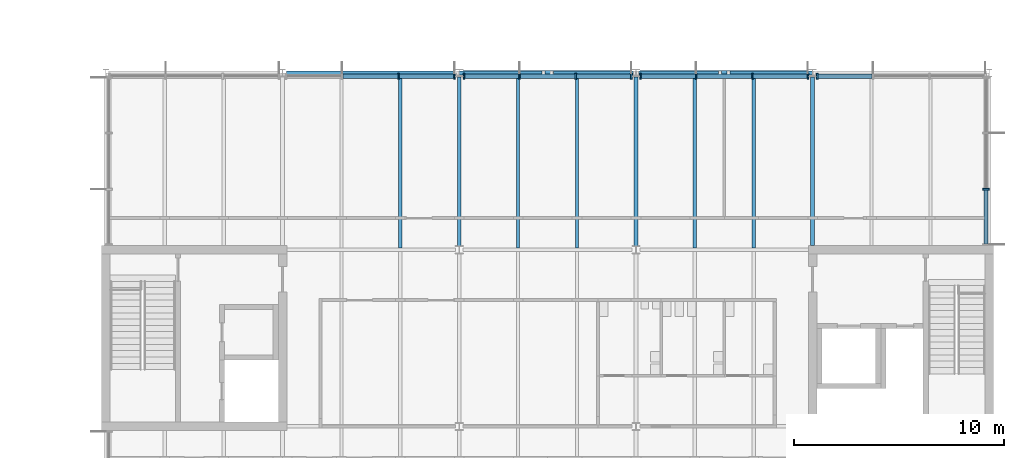
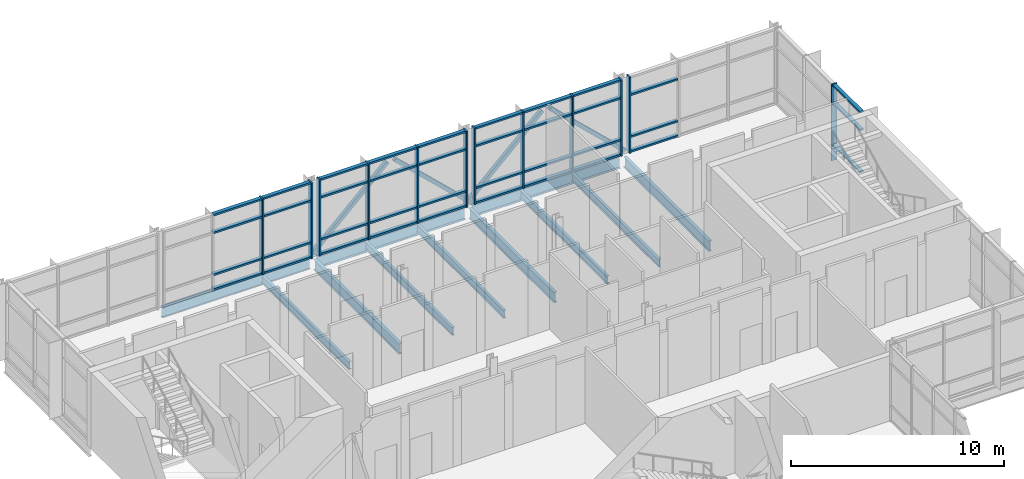
# One storey, part 29 of 72: 54 members, 11 beams, 5 elements without a shape of their own.
"""IFC4 building model written with IfcOpenShell, lengths in metres."""

from ifc_helpers import new_model, si_unit, direction, frame, origin, origin_2d, place, context, subcontext, project, spatial, rectangle, hollow_rectangle, i_section, extrude, material, material_profile, profile_set, type_object, element, aggregate, save


model = new_model("IFC4")

# Units and contexts
model_context = context("Model", 3, precision=1e-05, world=origin(), true_north=direction((0.0, 1.0)))
body_context = subcontext(model_context, "Body", "Model", "MODEL_VIEW")
ifc_project = project(units=[si_unit("LENGTHUNIT", "METRE"), si_unit("AREAUNIT", "SQUARE_METRE"), si_unit("VOLUMEUNIT", "CUBIC_METRE"), si_unit("PLANEANGLEUNIT", "RADIAN"), si_unit("MASSUNIT", "GRAM", prefix="KILO")], contexts=[model_context])

# Site, building, storey
site_placement = place(None, origin())
site = spatial("IfcSite", under=ifc_project, at=site_placement, CompositionType="ELEMENT")
building_placement = place(site_placement, origin())
building = spatial("IfcBuilding", under=site, at=building_placement, Name="Hlaing Beacon Police Headquarters", CompositionType="ELEMENT")
storey_placement = place(building_placement, frame((0.0, 0.0, 14.39990234375)))
storey = spatial("IfcBuildingStorey", under=building, at=storey_placement, Name="L03", CompositionType="ELEMENT", Elevation=14.39990234375)

# Members
ifc_material_1 = material(Name="Steel ASTM A500 Grade C", Category="steel")
ifc_material_profile_1 = material_profile(ifc_material_1, hollow_rectangle(XDim=0.203125, YDim=0.203125, WallThickness=0.009521484375, at=origin_2d()), Name="HSS8x8x3/8")
ifc_profile_set_1 = profile_set([ifc_material_profile_1], Name="Steel ASTM A500 Grade C")
member_type_1 = type_object("IfcMemberType", Name="Chevron brace HSS8x8x3/8", PredefinedType="BRACE", material=ifc_profile_set_1)
member_1_placement = place(storey_placement, frame((109.138916015625, 92.39990234375, 0.07421875), z_axis=(0.724831867616, 0.0, 0.688925804197), x_axis=(0.0, 1.0, 0.0)))
element("IfcMember", 1, at=member_1_placement, inside=storey, type_object=member_type_1, Name="STR-BR-L03-12Pa", PredefinedType="BRACE", context=body_context, shape_type="SweptSolid", body=[
    extrude(hollow_rectangle(XDim=0.203125, YDim=0.203125, WallThickness=0.009521484375, at=origin_2d()), origin(), (0.0, 0.0, 1.0), 5.602783203125),
])
member_2_placement = place(storey_placement, frame((117.660888671875, 92.39990234375, 0.07421875), z_axis=(-0.724811184972, 0.0, 0.688947564144), x_axis=(0.0, -1.0, 0.0)))
element("IfcMember", 2, at=member_2_placement, inside=storey, type_object=member_type_1, Name="STR-BR-L03-12Pb", PredefinedType="BRACE", context=body_context, shape_type="SweptSolid", body=[
    extrude(hollow_rectangle(XDim=0.203125, YDim=0.203125, WallThickness=0.009521484375, at=origin_2d()), origin(), (0.0, 0.0, 1.0), 5.6025390625),
])
for number, where, z_axis, x_axis, name in (
    (3, (117.5390625, 92.39990234375, 0.07421875), (0.724831867616, 0.0, 0.688925804197), (0.0, 1.0, 0.0), "STR-BR-L03-12Qa"),
    (4, (126.06103515625, 92.39990234375, 0.07421875), (-0.724831867616, 0.0, 0.688925804197), (0.0, -1.0, 0.0), "STR-BR-L03-12Qb"),
):
    element("IfcMember", number, at=place(storey_placement, frame(where, z_axis=z_axis, x_axis=x_axis)), inside=storey, type_object=member_type_1, Name=name, PredefinedType="BRACE", context=body_context, shape_type="SweptSolid", body=[
        extrude(hollow_rectangle(XDim=0.203125, YDim=0.203125, WallThickness=0.009521484375, at=origin_2d()), origin(), (0.0, 0.0, 1.0), 5.602783203125),
    ])

# Beams
ifc_material_2 = material(Name="Steel ASTM A992 Grade 50", Category="steel")
ifc_material_profile_2 = material_profile(ifc_material_2, i_section(OverallWidth=0.177978515625, OverallDepth=0.599365234375, WebThickness=0.010009765625, FlangeThickness=0.012939453125, FilletRadius=0.012939453125, at=origin_2d()), Name="W24x55")
ifc_profile_set_2 = profile_set([ifc_material_profile_2], Name="Steel ASTM A992 Grade 50")
beam_type_1 = type_object("IfcBeamType", Name="Girder W24x55", PredefinedType="BEAM", material=ifc_profile_set_2)
for number, where, z_axis, x_axis, name in (
    (5, (100.98388671875, 92.39990234375, -0.4296875), (1.0, 0.0, 0.0), (0.0, 1.0, 0.0), "STR-BM-L03-GX-N12-P12"),
    (6, (109.199951171875, 84.18701171875, -0.4296875), (0.0, 1.0, 0.0), (-1.0, 0.0, 0.0), "STR-BM-L03-GY-P11-P12"),
    (7, (117.60009765625, 84.18701171875, -0.4296875), (0.0, 1.0, 0.0), (-1.0, 0.0, 0.0), "STR-BM-L03-GY-Q11-Q12"),
):
    element("IfcBeam", number, at=place(storey_placement, frame(where, z_axis=z_axis, x_axis=x_axis)), inside=storey, type_object=beam_type_1, Name=name, PredefinedType="BEAM", context=body_context, shape_type="SweptSolid", body=[
        extrude(i_section(OverallWidth=0.177978515625, OverallDepth=0.599365234375, WebThickness=0.010009765625, FlangeThickness=0.012939453125, FilletRadius=0.012939453125, at=origin_2d()), origin(), (0.0, 0.0, 1.0), 8.031005859375),
    ])
beam_1_placement = place(storey_placement, frame((126.0, 84.199951171875, -0.4296875), z_axis=(0.0, 1.0, 0.0), x_axis=(-1.0, 0.0, 0.0)))
element("IfcBeam", 8, at=beam_1_placement, inside=storey, type_object=beam_type_1, Name="STR-BM-L03-GY-R11-R12", PredefinedType="BEAM", context=body_context, shape_type="SweptSolid", body=[
    extrude(i_section(OverallWidth=0.177978515625, OverallDepth=0.599365234375, WebThickness=0.010009765625, FlangeThickness=0.012939453125, FilletRadius=0.012939453125, at=origin_2d()), origin(), (0.0, 0.0, 1.0), 8.01806640625),
])
ifc_material_3 = material(Name="Steel ASTM A992 Grade 50", Category="steel")
ifc_material_profile_3 = material_profile(ifc_material_3, i_section(OverallWidth=0.25390625, OverallDepth=0.67822265625, WebThickness=0.01171875, FlangeThickness=0.016357421875, FilletRadius=0.01513671875, at=origin_2d()), Name="W27x84")
ifc_profile_set_3 = profile_set([ifc_material_profile_3], Name="Steel ASTM A992 Grade 50")
beam_type_2 = type_object("IfcBeamType", Name="Girder W27x84", PredefinedType="BEAM", material=ifc_profile_set_3)
for number, where, z_axis, x_axis, name in (
    (9, (109.385009765625, 92.39990234375, -0.468994140625), (1.0, 0.0, 0.0), (0.0, 1.0, 0.0), "STR-BM-L03-GX-P12-Q12"),
    (10, (117.784912109375, 92.39990234375, -0.468994140625), (1.0, 0.0, 0.0), (0.0, 1.0, 0.0), "STR-BM-L03-GX-Q12-R12"),
):
    element("IfcBeam", number, at=place(storey_placement, frame(where, z_axis=z_axis, x_axis=x_axis)), inside=storey, type_object=beam_type_2, Name=name, PredefinedType="BEAM", context=body_context, shape_type="SweptSolid", body=[
        extrude(i_section(OverallWidth=0.25390625, OverallDepth=0.67822265625, WebThickness=0.01171875, FlangeThickness=0.016357421875, FilletRadius=0.01513671875, at=origin_2d()), origin(), (0.0, 0.0, 1.0), 8.030029296875),
    ])

# Curtain wall, member
ifc_material_4 = material(Name="Aluminium frame with solar control glazing", Category="aluminium")
curtain_wall_type_1 = type_object("IfcCurtainWallType", Name="Structural glazed gable wall 8.02 x 4.37", PredefinedType="NOTDEFINED", material=ifc_material_4)
curtain_wall_1_placement = place(storey_placement, origin())
curtain_wall_1 = element("IfcCurtainWall", 11, at=curtain_wall_1_placement, inside=storey, type_object=curtain_wall_type_1, Name="ENV-CW-L03-E027", PredefinedType="NOTDEFINED")
ifc_material_5 = material(Name="Aluminium", Category="aluminium")
ifc_material_profile_4 = material_profile(ifc_material_5, rectangle(XDim=0.300048828125, YDim=0.080078125, at=origin_2d()), Name="Mullion 80x300")
ifc_profile_set_4 = profile_set([ifc_material_profile_4], Name="Aluminium")
member_type_2 = type_object("IfcMemberType", Name="Mullion 80x300", PredefinedType="MULLION", material=ifc_profile_set_4)
member_3_placement = place(storey_placement, frame((134.25, 86.87451171875, 0.0), z_axis=(0.0, 0.0, 1.0), x_axis=(-1.0, 0.0, 0.0)))
member_3 = element("IfcMember", 12, at=member_3_placement, type_object=member_type_2, Name="CW-L03-E027 mullion 2", PredefinedType="MULLION", context=body_context, shape_type="SweptSolid", body=[
    extrude(rectangle(XDim=0.300048828125, YDim=0.080078125, at=origin_2d()), origin(), (0.0, 0.0, 1.0), 4.3701171875),
])

ifc_material_6 = material(Name="Aluminium frame with solar control glazing", Category="aluminium")
curtain_wall_type_2 = type_object("IfcCurtainWallType", Name="Structural glazed gable wall 8.06 x 4.37", PredefinedType="NOTDEFINED", material=ifc_material_6)
curtain_wall_2_placement = place(storey_placement, origin())
curtain_wall_2 = element("IfcCurtainWall", 13, at=curtain_wall_2_placement, inside=storey, type_object=curtain_wall_type_2, Name="ENV-CW-L03-N028", PredefinedType="NOTDEFINED")
member_4_placement = place(storey_placement, frame((126.225341796875, 92.25, 0.0), z_axis=(0.0, 0.0, 1.0), x_axis=(0.0, -1.0, 0.0)))
member_4 = element("IfcMember", 14, at=member_4_placement, type_object=member_type_2, Name="CW-L03-N028 mullion 4", PredefinedType="MULLION", context=body_context, shape_type="SweptSolid", body=[
    extrude(rectangle(XDim=0.300048828125, YDim=0.080078125, at=origin_2d()), origin(), (0.0, 0.0, 1.0), 4.3701171875),
])

# Curtain wall, members
ifc_material_7 = material(Name="Aluminium frame with solar control glazing", Category="aluminium")
curtain_wall_type_3 = type_object("IfcCurtainWallType", Name="Structural glazed gable wall 8.03 x 4.37", PredefinedType="NOTDEFINED", material=ifc_material_7)
curtain_wall_3_placement = place(storey_placement, origin())
curtain_wall_3 = element("IfcCurtainWall", 15, at=curtain_wall_3_placement, inside=storey, type_object=curtain_wall_type_3, Name="ENV-CW-L03-N029", PredefinedType="NOTDEFINED")
member_5_placement = place(storey_placement, frame((125.774658203125, 92.25, 0.0), z_axis=(0.0, 0.0, 1.0), x_axis=(0.0, -1.0, 0.0)))
member_5 = element("IfcMember", 16, at=member_5_placement, type_object=member_type_2, Name="CW-L03-N029 mullion 1", PredefinedType="MULLION", context=body_context, shape_type="SweptSolid", body=[
    extrude(rectangle(XDim=0.300048828125, YDim=0.080078125, at=origin_2d()), origin(), (0.0, 0.0, 1.0), 4.3701171875),
])
member_6_placement = place(storey_placement, frame((123.13818359375, 92.25, 0.0), z_axis=(0.0, 0.0, 1.0), x_axis=(0.0, -1.0, 0.0)))
member_6 = element("IfcMember", 17, at=member_6_placement, type_object=member_type_2, Name="CW-L03-N029 mullion 2", PredefinedType="MULLION", context=body_context, shape_type="SweptSolid", body=[
    extrude(rectangle(XDim=0.300048828125, YDim=0.080078125, at=origin_2d()), origin(), (0.0, 0.0, 1.0), 4.3701171875),
])
member_7_placement = place(storey_placement, frame((120.4619140625, 92.25, 0.0), z_axis=(0.0, 0.0, 1.0), x_axis=(0.0, -1.0, 0.0)))
member_7 = element("IfcMember", 18, at=member_7_placement, type_object=member_type_2, Name="CW-L03-N029 mullion 3", PredefinedType="MULLION", context=body_context, shape_type="SweptSolid", body=[
    extrude(rectangle(XDim=0.300048828125, YDim=0.080078125, at=origin_2d()), origin(), (0.0, 0.0, 1.0), 4.3701171875),
])
member_8_placement = place(storey_placement, frame((117.825439453125, 92.25, 0.0), z_axis=(0.0, 0.0, 1.0), x_axis=(0.0, -1.0, 0.0)))
member_8 = element("IfcMember", 19, at=member_8_placement, type_object=member_type_2, Name="CW-L03-N029 mullion 4", PredefinedType="MULLION", context=body_context, shape_type="SweptSolid", body=[
    extrude(rectangle(XDim=0.300048828125, YDim=0.080078125, at=origin_2d()), origin(), (0.0, 0.0, 1.0), 4.3701171875),
])

curtain_wall_4_placement = place(storey_placement, origin())
curtain_wall_4 = element("IfcCurtainWall", 20, at=curtain_wall_4_placement, inside=storey, type_object=curtain_wall_type_3, Name="ENV-CW-L03-N030", PredefinedType="NOTDEFINED")
member_9_placement = place(storey_placement, frame((117.37451171875, 92.25, 0.0), z_axis=(0.0, 0.0, 1.0), x_axis=(0.0, -1.0, 0.0)))
member_9 = element("IfcMember", 21, at=member_9_placement, type_object=member_type_2, Name="CW-L03-N030 mullion 1", PredefinedType="MULLION", context=body_context, shape_type="SweptSolid", body=[
    extrude(rectangle(XDim=0.300048828125, YDim=0.080078125, at=origin_2d()), origin(), (0.0, 0.0, 1.0), 4.3701171875),
])
member_10_placement = place(storey_placement, frame((114.73828125, 92.25, 0.0), z_axis=(0.0, 0.0, 1.0), x_axis=(0.0, -1.0, 0.0)))
member_10 = element("IfcMember", 22, at=member_10_placement, type_object=member_type_2, Name="CW-L03-N030 mullion 2", PredefinedType="MULLION", context=body_context, shape_type="SweptSolid", body=[
    extrude(rectangle(XDim=0.300048828125, YDim=0.080078125, at=origin_2d()), origin(), (0.0, 0.0, 1.0), 4.3701171875),
])
member_11_placement = place(storey_placement, frame((112.061767578125, 92.25, 0.0), z_axis=(0.0, 0.0, 1.0), x_axis=(0.0, -1.0, 0.0)))
member_11 = element("IfcMember", 23, at=member_11_placement, type_object=member_type_2, Name="CW-L03-N030 mullion 3", PredefinedType="MULLION", context=body_context, shape_type="SweptSolid", body=[
    extrude(rectangle(XDim=0.300048828125, YDim=0.080078125, at=origin_2d()), origin(), (0.0, 0.0, 1.0), 4.3701171875),
])
member_12_placement = place(storey_placement, frame((109.42529296875, 92.25, 0.0), z_axis=(0.0, 0.0, 1.0), x_axis=(0.0, -1.0, 0.0)))
member_12 = element("IfcMember", 24, at=member_12_placement, type_object=member_type_2, Name="CW-L03-N030 mullion 4", PredefinedType="MULLION", context=body_context, shape_type="SweptSolid", body=[
    extrude(rectangle(XDim=0.300048828125, YDim=0.080078125, at=origin_2d()), origin(), (0.0, 0.0, 1.0), 4.3701171875),
])

ifc_material_8 = material(Name="Aluminium frame with solar control glazing", Category="aluminium")
curtain_wall_type_4 = type_object("IfcCurtainWallType", Name="Structural glazed gable wall 8.09 x 4.37", PredefinedType="NOTDEFINED", material=ifc_material_8)
curtain_wall_5_placement = place(storey_placement, origin())
curtain_wall_5 = element("IfcCurtainWall", 25, at=curtain_wall_5_placement, inside=storey, type_object=curtain_wall_type_4, Name="ENV-CW-L03-N031", PredefinedType="NOTDEFINED")
member_13_placement = place(storey_placement, frame((108.974609375, 92.25, 0.0), z_axis=(0.0, 0.0, 1.0), x_axis=(0.0, -1.0, 0.0)))
member_13 = element("IfcMember", 26, at=member_13_placement, type_object=member_type_2, Name="CW-L03-N031 mullion 1", PredefinedType="MULLION", context=body_context, shape_type="SweptSolid", body=[
    extrude(rectangle(XDim=0.300048828125, YDim=0.080078125, at=origin_2d()), origin(), (0.0, 0.0, 1.0), 4.3701171875),
])
member_14_placement = place(storey_placement, frame((106.319091796875, 92.25, 0.0), z_axis=(0.0, 0.0, 1.0), x_axis=(0.0, -1.0, 0.0)))
member_14 = element("IfcMember", 27, at=member_14_placement, type_object=member_type_2, Name="CW-L03-N031 mullion 2", PredefinedType="MULLION", context=body_context, shape_type="SweptSolid", body=[
    extrude(rectangle(XDim=0.300048828125, YDim=0.080078125, at=origin_2d()), origin(), (0.0, 0.0, 1.0), 4.3701171875),
])

# Beams
ifc_material_9 = material(Name="Steel ASTM A992 Grade 50", Category="steel")
ifc_material_profile_5 = material_profile(ifc_material_9, i_section(OverallWidth=0.15234375, OverallDepth=0.449462890625, WebThickness=0.007568359375, FlangeThickness=0.0107421875, FilletRadius=0.01025390625, at=origin_2d()), Name="W18x35")
ifc_profile_set_5 = profile_set([ifc_material_profile_5], Name="Steel ASTM A992 Grade 50")
beam_type_3 = type_object("IfcBeamType", Name="Secondary beam W18x35", PredefinedType="BEAM", material=ifc_profile_set_5)
beam_2_placement = place(storey_placement, frame((106.39990234375, 84.089111328125, -0.354736328125), z_axis=(0.0, 1.0, 0.0), x_axis=(-1.0, 0.0, 0.0)))
element("IfcBeam", 28, at=beam_2_placement, inside=storey, type_object=beam_type_3, Name="STR-BM-L03-SB-N11-y2", PredefinedType="BEAM", context=body_context, shape_type="SweptSolid", body=[
    extrude(i_section(OverallWidth=0.15234375, OverallDepth=0.449462890625, WebThickness=0.007568359375, FlangeThickness=0.0107421875, FilletRadius=0.01025390625, at=origin_2d()), origin(), (0.0, 0.0, 1.0), 8.221923828125),
])
for number, where, z_axis, x_axis, name in (
    (29, (112.0, 84.089111328125, -0.354736328125), (0.0, 1.0, 0.0), (-1.0, 0.0, 0.0), "STR-BM-L03-SB-P11-y1"),
    (30, (114.800048828125, 84.089111328125, -0.354736328125), (0.0, 1.0, 0.0), (-1.0, 0.0, 0.0), "STR-BM-L03-SB-P11-y2"),
    (31, (120.39990234375, 84.089111328125, -0.354736328125), (0.0, 1.0, 0.0), (-1.0, 0.0, 0.0), "STR-BM-L03-SB-Q11-y1"),
    (32, (123.199951171875, 84.089111328125, -0.354736328125), (0.0, 1.0, 0.0), (-1.0, 0.0, 0.0), "STR-BM-L03-SB-Q11-y2"),
):
    element("IfcBeam", number, at=place(storey_placement, frame(where, z_axis=z_axis, x_axis=x_axis)), inside=storey, type_object=beam_type_3, Name=name, PredefinedType="BEAM", context=body_context, shape_type="SweptSolid", body=[
        extrude(i_section(OverallWidth=0.15234375, OverallDepth=0.449462890625, WebThickness=0.007568359375, FlangeThickness=0.0107421875, FilletRadius=0.01025390625, at=origin_2d()), origin(), (0.0, 0.0, 1.0), 8.183837890625),
    ])

# Member
ifc_material_10 = material(Name="Aluminium", Category="aluminium")
ifc_material_profile_6 = material_profile(ifc_material_10, rectangle(XDim=0.199951171875, YDim=0.10009765625, at=origin_2d()), Name="Transom 200x100")
ifc_profile_set_6 = profile_set([ifc_material_profile_6], Name="Aluminium")
member_type_3 = type_object("IfcMemberType", Name="Transom 200x100", PredefinedType="USERDEFINED", material=ifc_profile_set_6)
member_15_placement = place(storey_placement, frame((134.25, 84.280029296875, 0.900146484375), z_axis=(0.0, 1.0, 0.0), x_axis=(-1.0, 0.0, 0.0)))
member_15 = element("IfcMember", 33, at=member_15_placement, type_object=member_type_3, Name="CW-L03-E027 transom 1.2", ObjectType="TRANSOM", PredefinedType="USERDEFINED", context=body_context, shape_type="SweptSolid", body=[
    extrude(rectangle(XDim=0.199951171875, YDim=0.10009765625, at=origin_2d()), origin(), (0.0, 0.0, 1.0), 2.554443359375),
])

member_16_placement = place(storey_placement, frame((134.25, 84.280029296875, 3.300048828125), z_axis=(0.0, 1.0, 0.0), x_axis=(-1.0, 0.0, 0.0)))
member_16 = element("IfcMember", 34, at=member_16_placement, type_object=member_type_3, Name="CW-L03-E027 transom 1.3", ObjectType="TRANSOM", PredefinedType="USERDEFINED", context=body_context, shape_type="SweptSolid", body=[
    extrude(rectangle(XDim=0.199951171875, YDim=0.10009765625, at=origin_2d()), origin(), (0.0, 0.0, 1.0), 2.554443359375),
])

member_17_placement = place(storey_placement, frame((134.25, 84.280029296875, 4.320068359375), z_axis=(0.0, 1.0, 0.0), x_axis=(-1.0, 0.0, 0.0)))
member_17 = element("IfcMember", 35, at=member_17_placement, type_object=member_type_3, Name="CW-L03-E027 transom 1.4", ObjectType="TRANSOM", PredefinedType="USERDEFINED", context=body_context, shape_type="SweptSolid", body=[
    extrude(rectangle(XDim=0.199951171875, YDim=0.10009765625, at=origin_2d()), origin(), (0.0, 0.0, 1.0), 2.554443359375),
])

aggregate(curtain_wall_1, [member_3, member_15, member_16, member_17])

member_18_placement = place(storey_placement, frame((128.83349609375, 92.25, 0.050048828125), z_axis=(-1.0, 0.0, 0.0), x_axis=(0.0, -1.0, 0.0)))
member_18 = element("IfcMember", 36, at=member_18_placement, type_object=member_type_3, Name="CW-L03-N028 transom 3.1", ObjectType="TRANSOM", PredefinedType="USERDEFINED", context=body_context, shape_type="SweptSolid", body=[
    extrude(rectangle(XDim=0.199951171875, YDim=0.10009765625, at=origin_2d()), origin(), (0.0, 0.0, 1.0), 2.568115234375),
])

member_19_placement = place(storey_placement, frame((128.83349609375, 92.25, 0.900146484375), z_axis=(-1.0, 0.0, 0.0), x_axis=(0.0, -1.0, 0.0)))
member_19 = element("IfcMember", 37, at=member_19_placement, type_object=member_type_3, Name="CW-L03-N028 transom 3.2", ObjectType="TRANSOM", PredefinedType="USERDEFINED", context=body_context, shape_type="SweptSolid", body=[
    extrude(rectangle(XDim=0.199951171875, YDim=0.10009765625, at=origin_2d()), origin(), (0.0, 0.0, 1.0), 2.568115234375),
])

member_20_placement = place(storey_placement, frame((128.83349609375, 92.25, 3.300048828125), z_axis=(-1.0, 0.0, 0.0), x_axis=(0.0, -1.0, 0.0)))
member_20 = element("IfcMember", 38, at=member_20_placement, type_object=member_type_3, Name="CW-L03-N028 transom 3.3", ObjectType="TRANSOM", PredefinedType="USERDEFINED", context=body_context, shape_type="SweptSolid", body=[
    extrude(rectangle(XDim=0.199951171875, YDim=0.10009765625, at=origin_2d()), origin(), (0.0, 0.0, 1.0), 2.568115234375),
])

aggregate(curtain_wall_2, [member_4, member_18, member_19, member_20])

member_21_placement = place(storey_placement, frame((125.734619140625, 92.25, 0.050048828125), z_axis=(-1.0, 0.0, 0.0), x_axis=(0.0, -1.0, 0.0)))
member_21 = element("IfcMember", 39, at=member_21_placement, type_object=member_type_3, Name="CW-L03-N029 transom 1.1", ObjectType="TRANSOM", PredefinedType="USERDEFINED", context=body_context, shape_type="SweptSolid", body=[
    extrude(rectangle(XDim=0.199951171875, YDim=0.10009765625, at=origin_2d()), origin(), (0.0, 0.0, 1.0), 2.556396484375),
])

member_22_placement = place(storey_placement, frame((125.734619140625, 92.25, 0.900146484375), z_axis=(-1.0, 0.0, 0.0), x_axis=(0.0, -1.0, 0.0)))
member_22 = element("IfcMember", 40, at=member_22_placement, type_object=member_type_3, Name="CW-L03-N029 transom 1.2", ObjectType="TRANSOM", PredefinedType="USERDEFINED", context=body_context, shape_type="SweptSolid", body=[
    extrude(rectangle(XDim=0.199951171875, YDim=0.10009765625, at=origin_2d()), origin(), (0.0, 0.0, 1.0), 2.556396484375),
])

member_23_placement = place(storey_placement, frame((125.734619140625, 92.25, 3.300048828125), z_axis=(-1.0, 0.0, 0.0), x_axis=(0.0, -1.0, 0.0)))
member_23 = element("IfcMember", 41, at=member_23_placement, type_object=member_type_3, Name="CW-L03-N029 transom 1.3", ObjectType="TRANSOM", PredefinedType="USERDEFINED", context=body_context, shape_type="SweptSolid", body=[
    extrude(rectangle(XDim=0.199951171875, YDim=0.10009765625, at=origin_2d()), origin(), (0.0, 0.0, 1.0), 2.556396484375),
])

member_24_placement = place(storey_placement, frame((125.734619140625, 92.25, 4.320068359375), z_axis=(-1.0, 0.0, 0.0), x_axis=(0.0, -1.0, 0.0)))
member_24 = element("IfcMember", 42, at=member_24_placement, type_object=member_type_3, Name="CW-L03-N029 transom 1.4", ObjectType="TRANSOM", PredefinedType="USERDEFINED", context=body_context, shape_type="SweptSolid", body=[
    extrude(rectangle(XDim=0.199951171875, YDim=0.10009765625, at=origin_2d()), origin(), (0.0, 0.0, 1.0), 2.556396484375),
])

member_25_placement = place(storey_placement, frame((123.09814453125, 92.25, 0.050048828125), z_axis=(-1.0, 0.0, 0.0), x_axis=(0.0, -1.0, 0.0)))
member_25 = element("IfcMember", 43, at=member_25_placement, type_object=member_type_3, Name="CW-L03-N029 transom 2.1", ObjectType="TRANSOM", PredefinedType="USERDEFINED", context=body_context, shape_type="SweptSolid", body=[
    extrude(rectangle(XDim=0.199951171875, YDim=0.10009765625, at=origin_2d()), origin(), (0.0, 0.0, 1.0), 2.596435546875),
])

member_26_placement = place(storey_placement, frame((123.09814453125, 92.25, 0.900146484375), z_axis=(-1.0, 0.0, 0.0), x_axis=(0.0, -1.0, 0.0)))
member_26 = element("IfcMember", 44, at=member_26_placement, type_object=member_type_3, Name="CW-L03-N029 transom 2.2", ObjectType="TRANSOM", PredefinedType="USERDEFINED", context=body_context, shape_type="SweptSolid", body=[
    extrude(rectangle(XDim=0.199951171875, YDim=0.10009765625, at=origin_2d()), origin(), (0.0, 0.0, 1.0), 2.596435546875),
])

member_27_placement = place(storey_placement, frame((123.09814453125, 92.25, 3.300048828125), z_axis=(-1.0, 0.0, 0.0), x_axis=(0.0, -1.0, 0.0)))
member_27 = element("IfcMember", 45, at=member_27_placement, type_object=member_type_3, Name="CW-L03-N029 transom 2.3", ObjectType="TRANSOM", PredefinedType="USERDEFINED", context=body_context, shape_type="SweptSolid", body=[
    extrude(rectangle(XDim=0.199951171875, YDim=0.10009765625, at=origin_2d()), origin(), (0.0, 0.0, 1.0), 2.596435546875),
])

member_28_placement = place(storey_placement, frame((123.09814453125, 92.25, 4.320068359375), z_axis=(-1.0, 0.0, 0.0), x_axis=(0.0, -1.0, 0.0)))
member_28 = element("IfcMember", 46, at=member_28_placement, type_object=member_type_3, Name="CW-L03-N029 transom 2.4", ObjectType="TRANSOM", PredefinedType="USERDEFINED", context=body_context, shape_type="SweptSolid", body=[
    extrude(rectangle(XDim=0.199951171875, YDim=0.10009765625, at=origin_2d()), origin(), (0.0, 0.0, 1.0), 2.596435546875),
])

member_29_placement = place(storey_placement, frame((120.421875, 92.25, 0.050048828125), z_axis=(-1.0, 0.0, 0.0), x_axis=(0.0, -1.0, 0.0)))
member_29 = element("IfcMember", 47, at=member_29_placement, type_object=member_type_3, Name="CW-L03-N029 transom 3.1", ObjectType="TRANSOM", PredefinedType="USERDEFINED", context=body_context, shape_type="SweptSolid", body=[
    extrude(rectangle(XDim=0.199951171875, YDim=0.10009765625, at=origin_2d()), origin(), (0.0, 0.0, 1.0), 2.556396484375),
])

member_30_placement = place(storey_placement, frame((120.421875, 92.25, 0.900146484375), z_axis=(-1.0, 0.0, 0.0), x_axis=(0.0, -1.0, 0.0)))
member_30 = element("IfcMember", 48, at=member_30_placement, type_object=member_type_3, Name="CW-L03-N029 transom 3.2", ObjectType="TRANSOM", PredefinedType="USERDEFINED", context=body_context, shape_type="SweptSolid", body=[
    extrude(rectangle(XDim=0.199951171875, YDim=0.10009765625, at=origin_2d()), origin(), (0.0, 0.0, 1.0), 2.556396484375),
])

member_31_placement = place(storey_placement, frame((120.421875, 92.25, 3.300048828125), z_axis=(-1.0, 0.0, 0.0), x_axis=(0.0, -1.0, 0.0)))
member_31 = element("IfcMember", 49, at=member_31_placement, type_object=member_type_3, Name="CW-L03-N029 transom 3.3", ObjectType="TRANSOM", PredefinedType="USERDEFINED", context=body_context, shape_type="SweptSolid", body=[
    extrude(rectangle(XDim=0.199951171875, YDim=0.10009765625, at=origin_2d()), origin(), (0.0, 0.0, 1.0), 2.556396484375),
])

member_32_placement = place(storey_placement, frame((120.421875, 92.25, 4.320068359375), z_axis=(-1.0, 0.0, 0.0), x_axis=(0.0, -1.0, 0.0)))
member_32 = element("IfcMember", 50, at=member_32_placement, type_object=member_type_3, Name="CW-L03-N029 transom 3.4", ObjectType="TRANSOM", PredefinedType="USERDEFINED", context=body_context, shape_type="SweptSolid", body=[
    extrude(rectangle(XDim=0.199951171875, YDim=0.10009765625, at=origin_2d()), origin(), (0.0, 0.0, 1.0), 2.556396484375),
])

aggregate(curtain_wall_3, [member_5, member_6, member_7, member_8, member_21, member_22, member_23, member_24, member_25, member_26, member_27, member_28, member_29, member_30, member_31, member_32])

member_33_placement = place(storey_placement, frame((117.334716796875, 92.25, 0.050048828125), z_axis=(-1.0, 0.0, 0.0), x_axis=(0.0, -1.0, 0.0)))
member_33 = element("IfcMember", 51, at=member_33_placement, type_object=member_type_3, Name="CW-L03-N030 transom 1.1", ObjectType="TRANSOM", PredefinedType="USERDEFINED", context=body_context, shape_type="SweptSolid", body=[
    extrude(rectangle(XDim=0.199951171875, YDim=0.10009765625, at=origin_2d()), origin(), (0.0, 0.0, 1.0), 2.556396484375),
])

member_34_placement = place(storey_placement, frame((117.334716796875, 92.25, 0.900146484375), z_axis=(-1.0, 0.0, 0.0), x_axis=(0.0, -1.0, 0.0)))
member_34 = element("IfcMember", 52, at=member_34_placement, type_object=member_type_3, Name="CW-L03-N030 transom 1.2", ObjectType="TRANSOM", PredefinedType="USERDEFINED", context=body_context, shape_type="SweptSolid", body=[
    extrude(rectangle(XDim=0.199951171875, YDim=0.10009765625, at=origin_2d()), origin(), (0.0, 0.0, 1.0), 2.556396484375),
])

member_35_placement = place(storey_placement, frame((117.334716796875, 92.25, 3.300048828125), z_axis=(-1.0, 0.0, 0.0), x_axis=(0.0, -1.0, 0.0)))
member_35 = element("IfcMember", 53, at=member_35_placement, type_object=member_type_3, Name="CW-L03-N030 transom 1.3", ObjectType="TRANSOM", PredefinedType="USERDEFINED", context=body_context, shape_type="SweptSolid", body=[
    extrude(rectangle(XDim=0.199951171875, YDim=0.10009765625, at=origin_2d()), origin(), (0.0, 0.0, 1.0), 2.556396484375),
])

member_36_placement = place(storey_placement, frame((117.334716796875, 92.25, 4.320068359375), z_axis=(-1.0, 0.0, 0.0), x_axis=(0.0, -1.0, 0.0)))
member_36 = element("IfcMember", 54, at=member_36_placement, type_object=member_type_3, Name="CW-L03-N030 transom 1.4", ObjectType="TRANSOM", PredefinedType="USERDEFINED", context=body_context, shape_type="SweptSolid", body=[
    extrude(rectangle(XDim=0.199951171875, YDim=0.10009765625, at=origin_2d()), origin(), (0.0, 0.0, 1.0), 2.556396484375),
])

member_37_placement = place(storey_placement, frame((114.6982421875, 92.25, 0.050048828125), z_axis=(-1.0, 0.0, 0.0), x_axis=(0.0, -1.0, 0.0)))
member_37 = element("IfcMember", 55, at=member_37_placement, type_object=member_type_3, Name="CW-L03-N030 transom 2.1", ObjectType="TRANSOM", PredefinedType="USERDEFINED", context=body_context, shape_type="SweptSolid", body=[
    extrude(rectangle(XDim=0.199951171875, YDim=0.10009765625, at=origin_2d()), origin(), (0.0, 0.0, 1.0), 2.596435546875),
])

member_38_placement = place(storey_placement, frame((114.6982421875, 92.25, 0.900146484375), z_axis=(-1.0, 0.0, 0.0), x_axis=(0.0, -1.0, 0.0)))
member_38 = element("IfcMember", 56, at=member_38_placement, type_object=member_type_3, Name="CW-L03-N030 transom 2.2", ObjectType="TRANSOM", PredefinedType="USERDEFINED", context=body_context, shape_type="SweptSolid", body=[
    extrude(rectangle(XDim=0.199951171875, YDim=0.10009765625, at=origin_2d()), origin(), (0.0, 0.0, 1.0), 2.596435546875),
])

member_39_placement = place(storey_placement, frame((114.6982421875, 92.25, 3.300048828125), z_axis=(-1.0, 0.0, 0.0), x_axis=(0.0, -1.0, 0.0)))
member_39 = element("IfcMember", 57, at=member_39_placement, type_object=member_type_3, Name="CW-L03-N030 transom 2.3", ObjectType="TRANSOM", PredefinedType="USERDEFINED", context=body_context, shape_type="SweptSolid", body=[
    extrude(rectangle(XDim=0.199951171875, YDim=0.10009765625, at=origin_2d()), origin(), (0.0, 0.0, 1.0), 2.596435546875),
])

member_40_placement = place(storey_placement, frame((114.6982421875, 92.25, 4.320068359375), z_axis=(-1.0, 0.0, 0.0), x_axis=(0.0, -1.0, 0.0)))
member_40 = element("IfcMember", 58, at=member_40_placement, type_object=member_type_3, Name="CW-L03-N030 transom 2.4", ObjectType="TRANSOM", PredefinedType="USERDEFINED", context=body_context, shape_type="SweptSolid", body=[
    extrude(rectangle(XDim=0.199951171875, YDim=0.10009765625, at=origin_2d()), origin(), (0.0, 0.0, 1.0), 2.596435546875),
])

member_41_placement = place(storey_placement, frame((112.021728515625, 92.25, 0.050048828125), z_axis=(-1.0, 0.0, 0.0), x_axis=(0.0, -1.0, 0.0)))
member_41 = element("IfcMember", 59, at=member_41_placement, type_object=member_type_3, Name="CW-L03-N030 transom 3.1", ObjectType="TRANSOM", PredefinedType="USERDEFINED", context=body_context, shape_type="SweptSolid", body=[
    extrude(rectangle(XDim=0.199951171875, YDim=0.10009765625, at=origin_2d()), origin(), (0.0, 0.0, 1.0), 2.556396484375),
])

member_42_placement = place(storey_placement, frame((112.021728515625, 92.25, 0.900146484375), z_axis=(-1.0, 0.0, 0.0), x_axis=(0.0, -1.0, 0.0)))
member_42 = element("IfcMember", 60, at=member_42_placement, type_object=member_type_3, Name="CW-L03-N030 transom 3.2", ObjectType="TRANSOM", PredefinedType="USERDEFINED", context=body_context, shape_type="SweptSolid", body=[
    extrude(rectangle(XDim=0.199951171875, YDim=0.10009765625, at=origin_2d()), origin(), (0.0, 0.0, 1.0), 2.556396484375),
])

member_43_placement = place(storey_placement, frame((112.021728515625, 92.25, 3.300048828125), z_axis=(-1.0, 0.0, 0.0), x_axis=(0.0, -1.0, 0.0)))
member_43 = element("IfcMember", 61, at=member_43_placement, type_object=member_type_3, Name="CW-L03-N030 transom 3.3", ObjectType="TRANSOM", PredefinedType="USERDEFINED", context=body_context, shape_type="SweptSolid", body=[
    extrude(rectangle(XDim=0.199951171875, YDim=0.10009765625, at=origin_2d()), origin(), (0.0, 0.0, 1.0), 2.556396484375),
])

member_44_placement = place(storey_placement, frame((112.021728515625, 92.25, 4.320068359375), z_axis=(-1.0, 0.0, 0.0), x_axis=(0.0, -1.0, 0.0)))
member_44 = element("IfcMember", 62, at=member_44_placement, type_object=member_type_3, Name="CW-L03-N030 transom 3.4", ObjectType="TRANSOM", PredefinedType="USERDEFINED", context=body_context, shape_type="SweptSolid", body=[
    extrude(rectangle(XDim=0.199951171875, YDim=0.10009765625, at=origin_2d()), origin(), (0.0, 0.0, 1.0), 2.556396484375),
])

aggregate(curtain_wall_4, [member_9, member_10, member_11, member_12, member_33, member_34, member_35, member_36, member_37, member_38, member_39, member_40, member_41, member_42, member_43, member_44])

member_45_placement = place(storey_placement, frame((108.9345703125, 92.25, 0.050048828125), z_axis=(-1.0, 0.0, 0.0), x_axis=(0.0, -1.0, 0.0)))
member_45 = element("IfcMember", 63, at=member_45_placement, type_object=member_type_3, Name="CW-L03-N031 transom 1.1", ObjectType="TRANSOM", PredefinedType="USERDEFINED", context=body_context, shape_type="SweptSolid", body=[
    extrude(rectangle(XDim=0.199951171875, YDim=0.10009765625, at=origin_2d()), origin(), (0.0, 0.0, 1.0), 2.575439453125),
])

member_46_placement = place(storey_placement, frame((108.9345703125, 92.25, 0.900146484375), z_axis=(-1.0, 0.0, 0.0), x_axis=(0.0, -1.0, 0.0)))
member_46 = element("IfcMember", 64, at=member_46_placement, type_object=member_type_3, Name="CW-L03-N031 transom 1.2", ObjectType="TRANSOM", PredefinedType="USERDEFINED", context=body_context, shape_type="SweptSolid", body=[
    extrude(rectangle(XDim=0.199951171875, YDim=0.10009765625, at=origin_2d()), origin(), (0.0, 0.0, 1.0), 2.575439453125),
])

member_47_placement = place(storey_placement, frame((108.9345703125, 92.25, 3.300048828125), z_axis=(-1.0, 0.0, 0.0), x_axis=(0.0, -1.0, 0.0)))
member_47 = element("IfcMember", 65, at=member_47_placement, type_object=member_type_3, Name="CW-L03-N031 transom 1.3", ObjectType="TRANSOM", PredefinedType="USERDEFINED", context=body_context, shape_type="SweptSolid", body=[
    extrude(rectangle(XDim=0.199951171875, YDim=0.10009765625, at=origin_2d()), origin(), (0.0, 0.0, 1.0), 2.575439453125),
])

member_48_placement = place(storey_placement, frame((108.9345703125, 92.25, 4.320068359375), z_axis=(-1.0, 0.0, 0.0), x_axis=(0.0, -1.0, 0.0)))
member_48 = element("IfcMember", 66, at=member_48_placement, type_object=member_type_3, Name="CW-L03-N031 transom 1.4", ObjectType="TRANSOM", PredefinedType="USERDEFINED", context=body_context, shape_type="SweptSolid", body=[
    extrude(rectangle(XDim=0.199951171875, YDim=0.10009765625, at=origin_2d()), origin(), (0.0, 0.0, 1.0), 2.575439453125),
])

member_49_placement = place(storey_placement, frame((106.279052734375, 92.25, 0.050048828125), z_axis=(-1.0, 0.0, 0.0), x_axis=(0.0, -1.0, 0.0)))
member_49 = element("IfcMember", 67, at=member_49_placement, type_object=member_type_3, Name="CW-L03-N031 transom 2.1", ObjectType="TRANSOM", PredefinedType="USERDEFINED", context=body_context, shape_type="SweptSolid", body=[
    extrude(rectangle(XDim=0.199951171875, YDim=0.10009765625, at=origin_2d()), origin(), (0.0, 0.0, 1.0), 2.615234375),
])

member_50_placement = place(storey_placement, frame((106.279052734375, 92.25, 0.900146484375), z_axis=(-1.0, 0.0, 0.0), x_axis=(0.0, -1.0, 0.0)))
member_50 = element("IfcMember", 68, at=member_50_placement, type_object=member_type_3, Name="CW-L03-N031 transom 2.2", ObjectType="TRANSOM", PredefinedType="USERDEFINED", context=body_context, shape_type="SweptSolid", body=[
    extrude(rectangle(XDim=0.199951171875, YDim=0.10009765625, at=origin_2d()), origin(), (0.0, 0.0, 1.0), 2.615234375),
])

member_51_placement = place(storey_placement, frame((106.279052734375, 92.25, 3.300048828125), z_axis=(-1.0, 0.0, 0.0), x_axis=(0.0, -1.0, 0.0)))
member_51 = element("IfcMember", 69, at=member_51_placement, type_object=member_type_3, Name="CW-L03-N031 transom 2.3", ObjectType="TRANSOM", PredefinedType="USERDEFINED", context=body_context, shape_type="SweptSolid", body=[
    extrude(rectangle(XDim=0.199951171875, YDim=0.10009765625, at=origin_2d()), origin(), (0.0, 0.0, 1.0), 2.615234375),
])

member_52_placement = place(storey_placement, frame((106.279052734375, 92.25, 4.320068359375), z_axis=(-1.0, 0.0, 0.0), x_axis=(0.0, -1.0, 0.0)))
member_52 = element("IfcMember", 70, at=member_52_placement, type_object=member_type_3, Name="CW-L03-N031 transom 2.4", ObjectType="TRANSOM", PredefinedType="USERDEFINED", context=body_context, shape_type="SweptSolid", body=[
    extrude(rectangle(XDim=0.199951171875, YDim=0.10009765625, at=origin_2d()), origin(), (0.0, 0.0, 1.0), 2.615234375),
])

aggregate(curtain_wall_5, [member_13, member_14, member_45, member_46, member_47, member_48, member_49, member_50, member_51, member_52])

save(model, "model.ifc")
